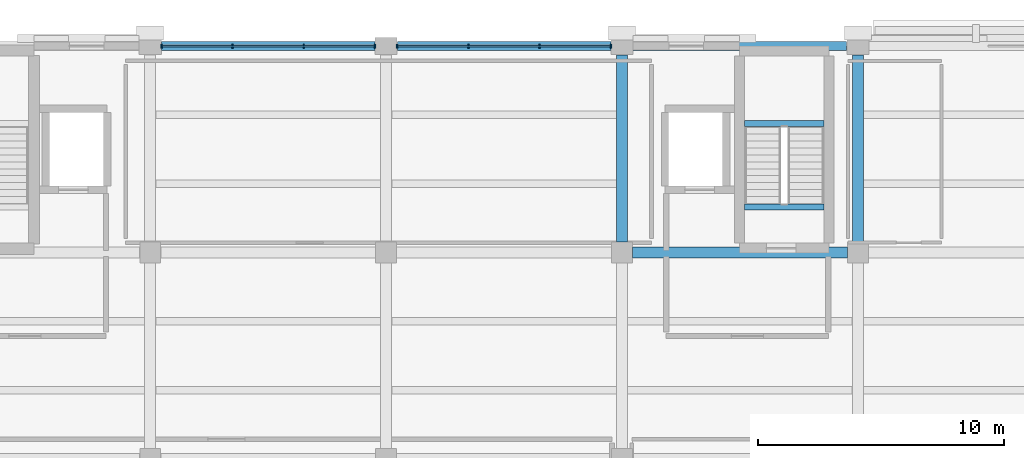
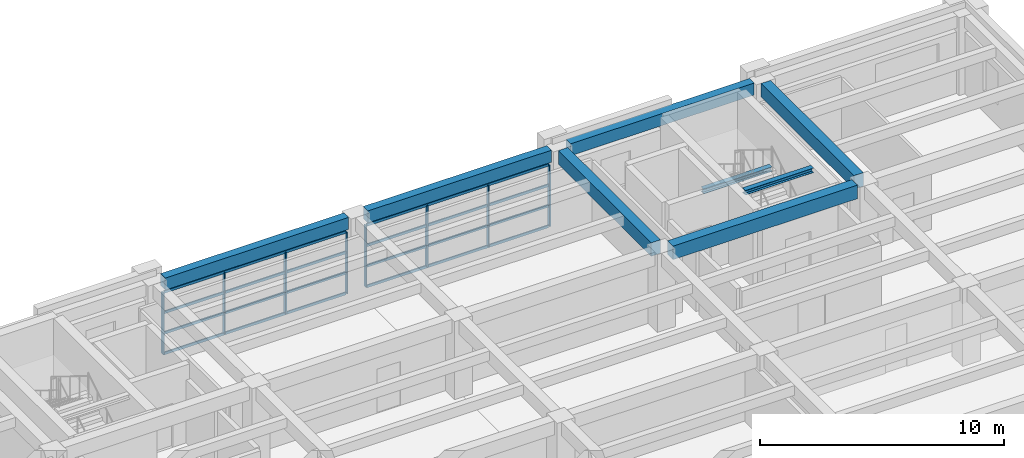
# One storey, part 27 of 58: 16 members, 8 beams, 2 elements without a shape of their own.
"""IFC4 building model written with IfcOpenShell, lengths in metres."""

from ifc_helpers import new_model, si_unit, direction, frame, origin, origin_2d, place, context, subcontext, project, spatial, rectangle, i_section, extrude, material, layer, layer_set, material_profile, profile_set, type_object, element, aggregate, save


model = new_model("IFC4")

# Units and contexts
model_context = context("Model", 3, precision=1e-05, world=origin(), true_north=direction((0.0, 1.0)))
body_context = subcontext(model_context, "Body", "Model", "MODEL_VIEW")
ifc_project = project(units=[si_unit("LENGTHUNIT", "METRE"), si_unit("AREAUNIT", "SQUARE_METRE"), si_unit("VOLUMEUNIT", "CUBIC_METRE"), si_unit("PLANEANGLEUNIT", "RADIAN"), si_unit("MASSUNIT", "GRAM", prefix="KILO")], contexts=[model_context])

# Site, building, storey
site_placement = place(None, origin())
site = spatial("IfcSite", under=ifc_project, at=site_placement, CompositionType="ELEMENT")
building_placement = place(site_placement, origin())
building = spatial("IfcBuilding", under=site, at=building_placement, Name="Bempovik Park Faculty of Sciences", CompositionType="ELEMENT")
storey_placement = place(building_placement, frame((0.0, 0.0, 18.300048828125)))
storey = spatial("IfcBuildingStorey", under=building, at=storey_placement, Name="L04", CompositionType="ELEMENT", Elevation=18.300048828125)

# Beams
ifc_material_1 = material(Name="Concrete C35/45", Category="concrete")
ifc_material_profile_1 = material_profile(ifc_material_1, rectangle(XDim=0.3798828125, YDim=0.60009765625, at=origin_2d()), Name="RC 380x600")
ifc_profile_set_1 = profile_set([ifc_material_profile_1], Name="Concrete C35/45")
beam_type_1 = type_object("IfcBeamType", Name="B-032 RC 380x600", PredefinedType="SPANDREL", material=ifc_profile_set_1)
for number, where, z_axis, x_axis, name in (
    (1, (79.656005859375, 119.39990234375, 3.599853515625), (1.0, 0.0, 0.0), (0.0, 1.0, 0.0), "L04 Beam X (79.2-88.8, y=119.4)"),
    (2, (89.256103515625, 119.39990234375, 3.599853515625), (1.0, 0.0, 0.0), (0.0, 1.0, 0.0), "L04 Beam X (88.8-98.4, y=119.4)"),
    (3, (98.85595703125, 119.39990234375, 3.599853515625), (1.0, 0.0, 0.0), (0.0, 1.0, 0.0), "L04 Beam X (98.4-108.0, y=119.4)"),
):
    element("IfcBeam", number, at=place(storey_placement, frame(where, z_axis=z_axis, x_axis=x_axis)), inside=storey, type_object=beam_type_1, Name=name, PredefinedType="SPANDREL", context=body_context, shape_type="SweptSolid", body=[
        extrude(rectangle(XDim=0.3798828125, YDim=0.60009765625, at=origin_2d()), origin(), (0.0, 0.0, 1.0), 8.68798828125),
    ])
ifc_material_2 = material(Name="Steel S355", Category="steel")
ifc_material_profile_2 = material_profile(ifc_material_2, i_section(OverallWidth=0.239990234375, OverallDepth=0.22998046875, WebThickness=0.007568359375, FlangeThickness=0.011962890625, at=origin_2d()), Name="HEA 240")
ifc_profile_set_2 = profile_set([ifc_material_profile_2], Name="Steel S355")
beam_type_2 = type_object("IfcBeamType", Name="B-070 HEA 240", PredefinedType="BEAM", material=ifc_profile_set_2)
for number, where, z_axis, x_axis, name in (
    (4, (103.381103515625, 116.24365234375, 1.784912109375), (1.0, 0.0, 0.0), (0.0, 1.0, 0.0), "L04 ST-2 Half-Landing Trimmer Beam"),
    (5, (103.381103515625, 112.85009765625, 3.784912109375), (1.0, 0.0, 0.0), (0.0, 1.0, 0.0), "L05 ST-2 Floor Landing Trimmer Beam"),
):
    element("IfcBeam", number, at=place(storey_placement, frame(where, z_axis=z_axis, x_axis=x_axis)), inside=storey, type_object=beam_type_2, Name=name, PredefinedType="BEAM", context=body_context, shape_type="SweptSolid", body=[
        extrude(i_section(OverallWidth=0.239990234375, OverallDepth=0.22998046875, WebThickness=0.007568359375, FlangeThickness=0.011962890625, at=origin_2d()), origin(), (0.0, 0.0, 1.0), 3.23779296875),
    ])
ifc_material_profile_3 = material_profile(ifc_material_1, rectangle(XDim=0.449951171875, YDim=0.679931640625, at=origin_2d()), Name="RC 450x680")
ifc_profile_set_3 = profile_set([ifc_material_profile_3], Name="Concrete C35/45")
beam_type_3 = type_object("IfcBeamType", Name="B-113 RC 450x680", PredefinedType="BEAM", material=ifc_profile_set_3)
beam_placement = place(storey_placement, frame((98.8310546875, 111.0, 3.56005859375), z_axis=(1.0, 0.0, 0.0), x_axis=(0.0, 1.0, 0.0)))
element("IfcBeam", 6, at=beam_placement, inside=storey, type_object=beam_type_3, Name="L04 Beam X (98.4-108.0, y=111.0)", PredefinedType="BEAM", context=body_context, shape_type="SweptSolid", body=[
    extrude(rectangle(XDim=0.449951171875, YDim=0.679931640625, at=origin_2d()), origin(), (0.0, 0.0, 1.0), 8.738037109375),
])
for number, where, z_axis, x_axis, name in (
    (7, (98.39990234375, 111.430908203125, 3.56005859375), (0.0, 1.0, 0.0), (-1.0, 0.0, 0.0), "L04 Beam Y (x=98.4, 111.0-119.4)"),
    (8, (108.0, 111.430908203125, 3.56005859375), (0.0, 1.0, 0.0), (-1.0, 0.0, 0.0), "L04 Beam Y (x=108.0, 111.0-119.4)"),
):
    element("IfcBeam", number, at=place(storey_placement, frame(where, z_axis=z_axis, x_axis=x_axis)), inside=storey, type_object=beam_type_3, Name=name, PredefinedType="BEAM", context=body_context, shape_type="SweptSolid", body=[
        extrude(rectangle(XDim=0.449951171875, YDim=0.679931640625, at=origin_2d()), origin(), (0.0, 0.0, 1.0), 7.613037109375),
    ])

# Curtain wall, members
ifc_material_3 = material(Name="Tempered laminated low-E glass", Category="glass")
ifc_layer = layer(ifc_material_3, 0.159912109375)
ifc_layer_set = layer_set([ifc_layer], Name="Tempered laminated low-E glass")
curtain_wall_type = type_object("IfcCurtainWallType", Name="CW-24 Curtain 7000x3500", PredefinedType="USERDEFINED", material=ifc_layer_set)
curtain_wall_1_placement = place(storey_placement, origin())
curtain_wall_1 = element("IfcCurtainWall", 9, at=curtain_wall_1_placement, inside=storey, type_object=curtain_wall_type, Name="L04 Unitised Curtain Wall (119.4,79.2)", ObjectType="UNITISED CURTAIN WALL", PredefinedType="USERDEFINED")
ifc_material_4 = material(Name="Anodised architectural bronze", Category="aluminium")
ifc_material_profile_4 = material_profile(ifc_material_4, rectangle(XDim=0.06005859375, YDim=0.159912109375, at=origin_2d()), Name="ALU-M 60x160")
ifc_profile_set_4 = profile_set([ifc_material_profile_4], Name="Anodised architectural bronze")
member_type_1 = type_object("IfcMemberType", Name="ML-21 ALU-M 60x160", PredefinedType="MULLION", material=ifc_profile_set_4)
member_1_placement = place(storey_placement, frame((79.652099609375, 119.39990234375, 0.0), z_axis=(0.0, 0.0, 1.0), x_axis=(1.0, 0.0, 0.0)))
member_1 = element("IfcMember", 10, at=member_1_placement, type_object=member_type_1, Name="CW-BAY-L04-1194-792 Mullion 0", PredefinedType="MULLION", context=body_context, shape_type="SweptSolid", body=[
    extrude(rectangle(XDim=0.06005859375, YDim=0.159912109375, at=origin_2d()), origin(), (0.0, 0.0, 1.0), 3.079833984375),
])
member_2_placement = place(storey_placement, frame((82.55078125, 119.39990234375, 0.0), z_axis=(0.0, 0.0, 1.0), x_axis=(1.0, 0.0, 0.0)))
member_2 = element("IfcMember", 11, at=member_2_placement, type_object=member_type_1, Name="CW-BAY-L04-1194-792 Mullion 1", PredefinedType="MULLION", context=body_context, shape_type="SweptSolid", body=[
    extrude(rectangle(XDim=0.06005859375, YDim=0.159912109375, at=origin_2d()), origin(), (0.0, 0.0, 1.0), 3.079833984375),
])
member_3_placement = place(storey_placement, frame((85.44921875, 119.39990234375, 0.0), z_axis=(0.0, 0.0, 1.0), x_axis=(1.0, 0.0, 0.0)))
member_3 = element("IfcMember", 12, at=member_3_placement, type_object=member_type_1, Name="CW-BAY-L04-1194-792 Mullion 2", PredefinedType="MULLION", context=body_context, shape_type="SweptSolid", body=[
    extrude(rectangle(XDim=0.06005859375, YDim=0.159912109375, at=origin_2d()), origin(), (0.0, 0.0, 1.0), 3.079833984375),
])
member_4_placement = place(storey_placement, frame((88.347900390625, 119.39990234375, 0.0), z_axis=(0.0, 0.0, 1.0), x_axis=(1.0, 0.0, 0.0)))
member_4 = element("IfcMember", 13, at=member_4_placement, type_object=member_type_1, Name="CW-BAY-L04-1194-792 Mullion 3", PredefinedType="MULLION", context=body_context, shape_type="SweptSolid", body=[
    extrude(rectangle(XDim=0.06005859375, YDim=0.159912109375, at=origin_2d()), origin(), (0.0, 0.0, 1.0), 3.079833984375),
])

curtain_wall_2_placement = place(storey_placement, origin())
curtain_wall_2 = element("IfcCurtainWall", 14, at=curtain_wall_2_placement, inside=storey, type_object=curtain_wall_type, Name="L04 Unitised Curtain Wall (119.4,88.8)", ObjectType="UNITISED CURTAIN WALL", PredefinedType="USERDEFINED")
member_5_placement = place(storey_placement, frame((89.251953125, 119.39990234375, 0.0), z_axis=(0.0, 0.0, 1.0), x_axis=(1.0, 0.0, 0.0)))
member_5 = element("IfcMember", 15, at=member_5_placement, type_object=member_type_1, Name="CW-BAY-L04-1194-888 Mullion 0", PredefinedType="MULLION", context=body_context, shape_type="SweptSolid", body=[
    extrude(rectangle(XDim=0.06005859375, YDim=0.159912109375, at=origin_2d()), origin(), (0.0, 0.0, 1.0), 3.079833984375),
])
member_6_placement = place(storey_placement, frame((92.150634765625, 119.39990234375, 0.0), z_axis=(0.0, 0.0, 1.0), x_axis=(1.0, 0.0, 0.0)))
member_6 = element("IfcMember", 16, at=member_6_placement, type_object=member_type_1, Name="CW-BAY-L04-1194-888 Mullion 1", PredefinedType="MULLION", context=body_context, shape_type="SweptSolid", body=[
    extrude(rectangle(XDim=0.06005859375, YDim=0.159912109375, at=origin_2d()), origin(), (0.0, 0.0, 1.0), 3.079833984375),
])
member_7_placement = place(storey_placement, frame((95.04931640625, 119.39990234375, 0.0), z_axis=(0.0, 0.0, 1.0), x_axis=(1.0, 0.0, 0.0)))
member_7 = element("IfcMember", 17, at=member_7_placement, type_object=member_type_1, Name="CW-BAY-L04-1194-888 Mullion 2", PredefinedType="MULLION", context=body_context, shape_type="SweptSolid", body=[
    extrude(rectangle(XDim=0.06005859375, YDim=0.159912109375, at=origin_2d()), origin(), (0.0, 0.0, 1.0), 3.079833984375),
])
member_8_placement = place(storey_placement, frame((97.947998046875, 119.39990234375, 0.0), z_axis=(0.0, 0.0, 1.0), x_axis=(1.0, 0.0, 0.0)))
member_8 = element("IfcMember", 18, at=member_8_placement, type_object=member_type_1, Name="CW-BAY-L04-1194-888 Mullion 3", PredefinedType="MULLION", context=body_context, shape_type="SweptSolid", body=[
    extrude(rectangle(XDim=0.06005859375, YDim=0.159912109375, at=origin_2d()), origin(), (0.0, 0.0, 1.0), 3.079833984375),
])

# Member
ifc_material_profile_5 = material_profile(ifc_material_4, rectangle(XDim=0.06005859375, YDim=0.1298828125, at=origin_2d()), Name="ALU-T 60x130")
ifc_profile_set_5 = profile_set([ifc_material_profile_5], Name="Anodised architectural bronze")
member_type_2 = type_object("IfcMemberType", Name="TR-25 ALU-T 60x130", PredefinedType="USERDEFINED", material=ifc_profile_set_5)
member_9_placement = place(storey_placement, frame((79.69189453125, 119.39990234375, 0.0), z_axis=(1.0, 0.0, 0.0), x_axis=(0.0, 1.0, 0.0)))
member_9 = element("IfcMember", 19, at=member_9_placement, type_object=member_type_2, Name="CW-BAY-L04-1194-792 Transom 0", ObjectType="TRANSOM", PredefinedType="USERDEFINED", context=body_context, shape_type="SweptSolid", body=[
    extrude(rectangle(XDim=0.06005859375, YDim=0.1298828125, at=origin_2d()), origin(), (0.0, 0.0, 1.0), 8.6162109375),
])

member_10_placement = place(storey_placement, frame((79.69189453125, 119.39990234375, 1.026611328125), z_axis=(1.0, 0.0, 0.0), x_axis=(0.0, 1.0, 0.0)))
member_10 = element("IfcMember", 20, at=member_10_placement, type_object=member_type_2, Name="CW-BAY-L04-1194-792 Transom 1", ObjectType="TRANSOM", PredefinedType="USERDEFINED", context=body_context, shape_type="SweptSolid", body=[
    extrude(rectangle(XDim=0.06005859375, YDim=0.1298828125, at=origin_2d()), origin(), (0.0, 0.0, 1.0), 8.6162109375),
])

member_11_placement = place(storey_placement, frame((79.69189453125, 119.39990234375, 2.05322265625), z_axis=(1.0, 0.0, 0.0), x_axis=(0.0, 1.0, 0.0)))
member_11 = element("IfcMember", 21, at=member_11_placement, type_object=member_type_2, Name="CW-BAY-L04-1194-792 Transom 2", ObjectType="TRANSOM", PredefinedType="USERDEFINED", context=body_context, shape_type="SweptSolid", body=[
    extrude(rectangle(XDim=0.06005859375, YDim=0.1298828125, at=origin_2d()), origin(), (0.0, 0.0, 1.0), 8.6162109375),
])

member_12_placement = place(storey_placement, frame((79.69189453125, 119.39990234375, 3.079833984375), z_axis=(1.0, 0.0, 0.0), x_axis=(0.0, 1.0, 0.0)))
member_12 = element("IfcMember", 22, at=member_12_placement, type_object=member_type_2, Name="CW-BAY-L04-1194-792 Transom 3", ObjectType="TRANSOM", PredefinedType="USERDEFINED", context=body_context, shape_type="SweptSolid", body=[
    extrude(rectangle(XDim=0.06005859375, YDim=0.1298828125, at=origin_2d()), origin(), (0.0, 0.0, 1.0), 8.6162109375),
])

aggregate(curtain_wall_1, [member_1, member_2, member_3, member_4, member_9, member_10, member_11, member_12])

member_13_placement = place(storey_placement, frame((89.2919921875, 119.39990234375, 0.0), z_axis=(1.0, 0.0, 0.0), x_axis=(0.0, 1.0, 0.0)))
member_13 = element("IfcMember", 23, at=member_13_placement, type_object=member_type_2, Name="CW-BAY-L04-1194-888 Transom 0", ObjectType="TRANSOM", PredefinedType="USERDEFINED", context=body_context, shape_type="SweptSolid", body=[
    extrude(rectangle(XDim=0.06005859375, YDim=0.1298828125, at=origin_2d()), origin(), (0.0, 0.0, 1.0), 8.615966796875),
])

member_14_placement = place(storey_placement, frame((89.2919921875, 119.39990234375, 1.026611328125), z_axis=(1.0, 0.0, 0.0), x_axis=(0.0, 1.0, 0.0)))
member_14 = element("IfcMember", 24, at=member_14_placement, type_object=member_type_2, Name="CW-BAY-L04-1194-888 Transom 1", ObjectType="TRANSOM", PredefinedType="USERDEFINED", context=body_context, shape_type="SweptSolid", body=[
    extrude(rectangle(XDim=0.06005859375, YDim=0.1298828125, at=origin_2d()), origin(), (0.0, 0.0, 1.0), 8.615966796875),
])

member_15_placement = place(storey_placement, frame((89.2919921875, 119.39990234375, 2.05322265625), z_axis=(1.0, 0.0, 0.0), x_axis=(0.0, 1.0, 0.0)))
member_15 = element("IfcMember", 25, at=member_15_placement, type_object=member_type_2, Name="CW-BAY-L04-1194-888 Transom 2", ObjectType="TRANSOM", PredefinedType="USERDEFINED", context=body_context, shape_type="SweptSolid", body=[
    extrude(rectangle(XDim=0.06005859375, YDim=0.1298828125, at=origin_2d()), origin(), (0.0, 0.0, 1.0), 8.615966796875),
])

member_16_placement = place(storey_placement, frame((89.2919921875, 119.39990234375, 3.079833984375), z_axis=(1.0, 0.0, 0.0), x_axis=(0.0, 1.0, 0.0)))
member_16 = element("IfcMember", 26, at=member_16_placement, type_object=member_type_2, Name="CW-BAY-L04-1194-888 Transom 3", ObjectType="TRANSOM", PredefinedType="USERDEFINED", context=body_context, shape_type="SweptSolid", body=[
    extrude(rectangle(XDim=0.06005859375, YDim=0.1298828125, at=origin_2d()), origin(), (0.0, 0.0, 1.0), 8.615966796875),
])

aggregate(curtain_wall_2, [member_5, member_6, member_7, member_8, member_13, member_14, member_15, member_16])

save(model, "model.ifc")
